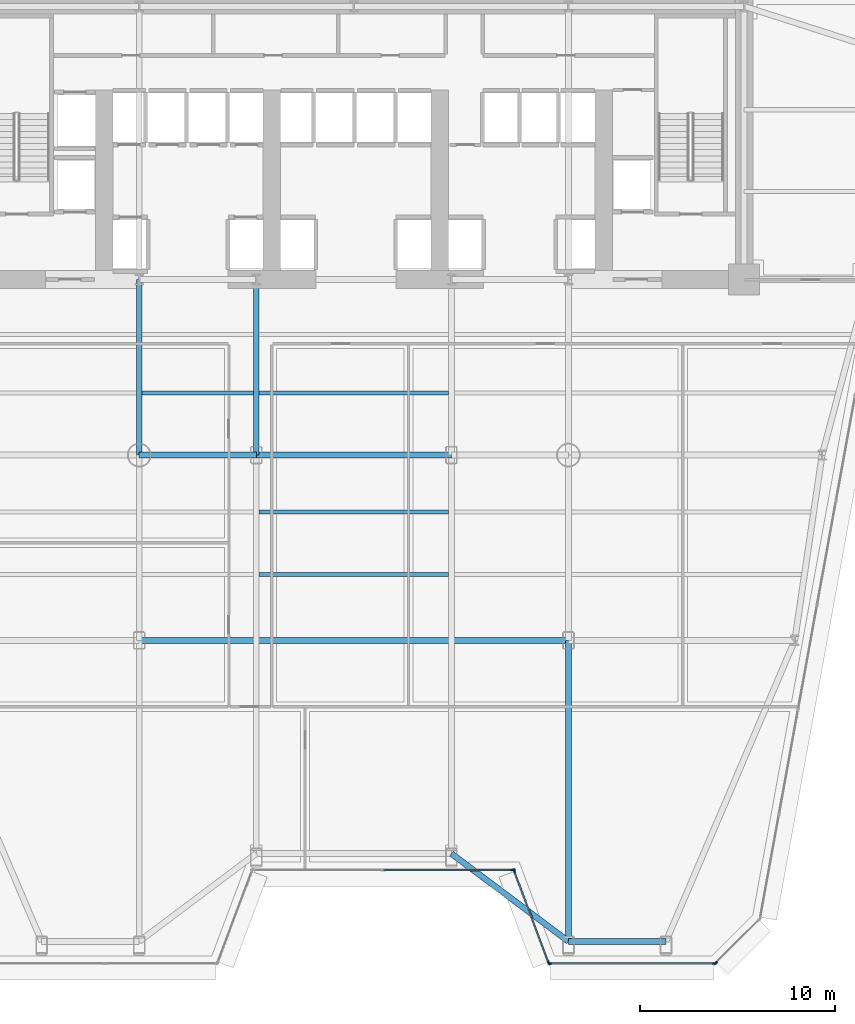
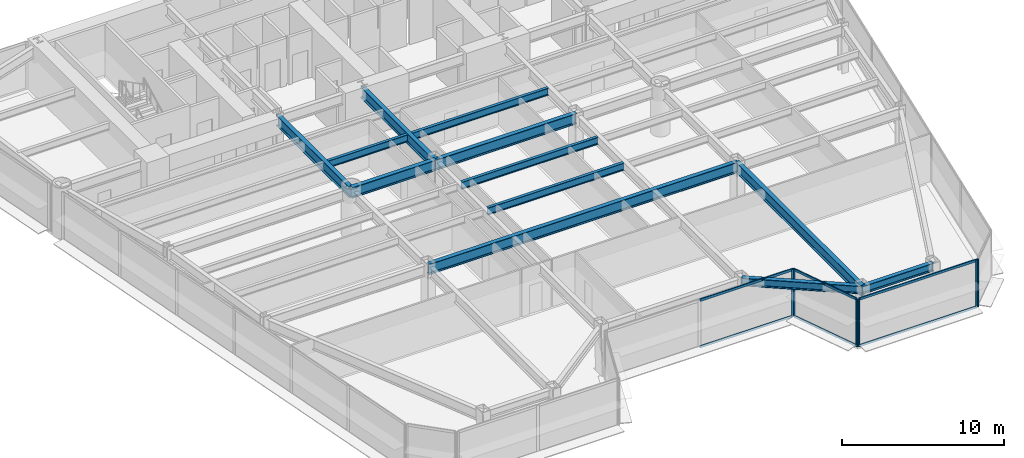
# One storey, part 3 of 14: 12 beams, 12 members, 4 elements without a shape of their own.
"""IFC4 building model written with IfcOpenShell, lengths in metres."""

from ifc_helpers import new_model, si_unit, direction, frame, origin, origin_2d, place, context, subcontext, project, spatial, rectangle, i_section, extrude, source, transform, mapped, material, layer, layer_set, material_profile, profile_set, type_object, element, aggregate, save


model = new_model("IFC4")

# Units and contexts
model_context = context("Model", 3, precision=1e-05, world=origin(), true_north=direction((0.0, 1.0)))
body_context = subcontext(model_context, "Body", "Model", "MODEL_VIEW")
ifc_project = project(units=[si_unit("LENGTHUNIT", "METRE"), si_unit("AREAUNIT", "SQUARE_METRE"), si_unit("VOLUMEUNIT", "CUBIC_METRE"), si_unit("PLANEANGLEUNIT", "RADIAN"), si_unit("MASSUNIT", "GRAM", prefix="KILO")], contexts=[model_context])

# Site, building, storey
site_placement = place(None, origin())
site = spatial("IfcSite", under=ifc_project, at=site_placement, CompositionType="ELEMENT")
building_placement = place(site_placement, origin())
building = spatial("IfcBuilding", under=site, at=building_placement, Name="Vaeldorn Concourse Tower", CompositionType="ELEMENT")
storey_placement = place(building_placement, frame((0.0, 0.0, 41.60009765625)))
storey = spatial("IfcBuildingStorey", under=building, at=storey_placement, Name="L10", CompositionType="ELEMENT", Elevation=41.60009765625)

# Beams
ifc_material_1 = material(Name="Steel S355", Category="steel")
ifc_material_profile_1 = material_profile(ifc_material_1, i_section(OverallWidth=0.300048828125, OverallDepth=0.800048828125, WebThickness=0.017578125, FlangeThickness=0.032958984375, FilletRadius=0.030029296875, at=origin_2d()), Name="HEB 800")
ifc_profile_set_1 = profile_set([ifc_material_profile_1], Name="Steel S355")
beam_type_1 = type_object("IfcBeamType", Name="BM-PG-HEB800", PredefinedType="BEAM", material=ifc_profile_set_1)
shared_shape_1 = source(origin(), body_context, "Body", "SweptSolid", [
    extrude(i_section(OverallWidth=0.300048828125, OverallDepth=0.800048828125, WebThickness=0.017578125, FlangeThickness=0.032958984375, FilletRadius=0.030029296875, at=origin_2d()), origin(), (0.0, 0.0, 1.0), 6.0),
])
beam_1_placement = place(storey_placement, frame((23.0, 27.5, 3.179931640625), z_axis=(1.0, 0.0, 0.0), x_axis=(0.0, 1.0, 0.0)))
element("IfcBeam", 1, at=beam_1_placement, inside=storey, type_object=beam_type_1, Name="Beam BM-L10-C-TW1-C-TW2", PredefinedType="BEAM", context=body_context, shape_type="MappedRepresentation", body=[
    mapped(shared_shape_1, transform((0.0, 0.0, 0.0), scale=1.0)),
])
shared_shape_2 = source(origin(), body_context, "Body", "SweptSolid", [
    extrude(i_section(OverallWidth=0.300048828125, OverallDepth=0.800048828125, WebThickness=0.017578125, FlangeThickness=0.032958984375, FilletRadius=0.030029296875, at=origin_2d()), origin(), (0.0, 0.0, 1.0), 10.0),
])
beam_2_placement = place(storey_placement, frame((29.0, 27.5, 3.179931640625), z_axis=(1.0, 0.0, 0.0), x_axis=(0.0, 1.0, 0.0)))
element("IfcBeam", 2, at=beam_2_placement, inside=storey, type_object=beam_type_1, Name="Beam BM-L10-C-TW2-C-TW3", PredefinedType="BEAM", context=body_context, shape_type="MappedRepresentation", body=[
    mapped(shared_shape_2, transform((0.0, 0.0, 0.0), scale=1.0)),
])
shared_shape_3 = source(origin(), body_context, "Body", "SweptSolid", [
    extrude(i_section(OverallWidth=0.300048828125, OverallDepth=0.800048828125, WebThickness=0.017578125, FlangeThickness=0.032958984375, FilletRadius=0.030029296875, at=origin_2d()), origin(), (0.0, 0.0, 1.0), 9.0),
])
for number, where, z_axis, x_axis, name in (
    (3, (23.0, 27.5, 3.179931640625), (0.0, 1.0, 0.0), (-1.0, 0.0, 0.0), "Beam BM-L10-C-TW1-C-FC2"),
    (4, (29.0, 27.5, 3.179931640625), (0.0, 1.0, 0.0), (-1.0, 0.0, 0.0), "Beam BM-L10-C-TW2-C-FC3"),
):
    element("IfcBeam", number, at=place(storey_placement, frame(where, z_axis=z_axis, x_axis=x_axis)), inside=storey, type_object=beam_type_1, Name=name, PredefinedType="BEAM", context=body_context, shape_type="MappedRepresentation", body=[
        mapped(shared_shape_3, transform((0.0, 0.0, 0.0), scale=1.0)),
    ])
ifc_material_profile_2 = material_profile(ifc_material_1, i_section(OverallWidth=0.300048828125, OverallDepth=0.60009765625, WebThickness=0.015380859375, FlangeThickness=0.030029296875, FilletRadius=0.027099609375, at=origin_2d()), Name="HEB 600")
ifc_profile_set_2 = profile_set([ifc_material_profile_2], Name="Steel S355")
beam_type_2 = type_object("IfcBeamType", Name="BM-SP-HEB600", PredefinedType="SPANDREL", material=ifc_profile_set_2)
shared_shape_4 = source(origin(), body_context, "Body", "SweptSolid", [
    extrude(i_section(OverallWidth=0.300048828125, OverallDepth=0.60009765625, WebThickness=0.015380859375, FlangeThickness=0.030029296875, FilletRadius=0.027099609375, at=origin_2d()), origin(), (0.0, 0.0, 1.0), 5.0),
])
beam_3_placement = place(storey_placement, frame((45.0, 2.573486328125, 3.27978515625), z_axis=(1.0, 0.0, 0.0), x_axis=(0.0, 1.0, 0.0)))
element("IfcBeam", 5, at=beam_3_placement, inside=storey, type_object=beam_type_2, Name="Beam BM-L10-C-SF5-C-SF6", PredefinedType="SPANDREL", context=body_context, shape_type="MappedRepresentation", body=[
    mapped(shared_shape_4, transform((0.0, 0.0, 0.0), scale=1.0)),
])
shared_shape_5 = source(origin(), body_context, "Body", "SweptSolid", [
    extrude(i_section(OverallWidth=0.300048828125, OverallDepth=0.60009765625, WebThickness=0.015380859375, FlangeThickness=0.030029296875, FilletRadius=0.027099609375, at=origin_2d()), origin(), (0.0, 0.0, 1.0), 7.5),
])
beam_4_placement = place(storey_placement, frame((39.0, 7.073486328125, 3.27978515625), z_axis=(0.8, -0.6, 0.0), x_axis=(0.6, 0.8, 0.0)))
element("IfcBeam", 6, at=beam_4_placement, inside=storey, type_object=beam_type_2, Name="Beam BM-L10-C-SF4-C-SF5", PredefinedType="SPANDREL", context=body_context, shape_type="MappedRepresentation", body=[
    mapped(shared_shape_5, transform((0.0, 0.0, 0.0), scale=1.0)),
])
shared_shape_6 = source(origin(), body_context, "Body", "SweptSolid", [
    extrude(i_section(OverallWidth=0.300048828125, OverallDepth=0.800048828125, WebThickness=0.017578125, FlangeThickness=0.032958984375, FilletRadius=0.030029296875, at=origin_2d()), origin(), (0.0, 0.0, 1.0), 22.0),
])
beam_5_placement = place(storey_placement, frame((23.0, 18.0, 3.179931640625), z_axis=(1.0, 0.0, 0.0), x_axis=(0.0, 1.0, 0.0)))
element("IfcBeam", 7, at=beam_5_placement, inside=storey, type_object=beam_type_1, Name="Beam BM-L10-C-TW5-C-TW6", PredefinedType="BEAM", context=body_context, shape_type="MappedRepresentation", body=[
    mapped(shared_shape_6, transform((0.0, 0.0, 0.0), scale=1.0)),
])
ifc_material_profile_3 = material_profile(ifc_material_1, i_section(OverallWidth=0.2099609375, OverallDepth=0.550048828125, WebThickness=0.010986328125, FlangeThickness=0.01708984375, FilletRadius=0.02392578125, at=origin_2d()), Name="IPE 550")
ifc_profile_set_3 = profile_set([ifc_material_profile_3], Name="Steel S355")
beam_type_3 = type_object("IfcBeamType", Name="BM-JS-IPE550", PredefinedType="JOIST", material=ifc_profile_set_3)
shared_shape_7 = source(origin(), body_context, "Body", "SweptSolid", [
    extrude(i_section(OverallWidth=0.2099609375, OverallDepth=0.550048828125, WebThickness=0.010986328125, FlangeThickness=0.01708984375, FilletRadius=0.02392578125, at=origin_2d()), origin(), (0.0, 0.0, 1.0), 5.7001953125),
])
beam_6_placement = place(storey_placement, frame((23.14990234375, 30.679931640625, 3.304931640625), z_axis=(1.0, 0.0, 0.0), x_axis=(0.0, 1.0, 0.0)))
element("IfcBeam", 8, at=beam_6_placement, inside=storey, type_object=beam_type_3, Name="Beam JS-L10-W2-306", PredefinedType="JOIST", context=body_context, shape_type="MappedRepresentation", body=[
    mapped(shared_shape_7, transform((0.0, 0.0, 0.0), scale=1.0)),
])
shared_shape_8 = source(origin(), body_context, "Body", "SweptSolid", [
    extrude(i_section(OverallWidth=0.2099609375, OverallDepth=0.550048828125, WebThickness=0.010986328125, FlangeThickness=0.01708984375, FilletRadius=0.02392578125, at=origin_2d()), origin(), (0.0, 0.0, 1.0), 9.7001953125),
])
for number, where, z_axis, x_axis, name in (
    (9, (29.14990234375, 21.3798828125, 3.304931640625), (1.0, 0.0, 0.0), (0.0, 1.0, 0.0), "Beam JS-L10-C-213"),
    (10, (29.14990234375, 24.580078125, 3.304931640625), (1.0, 0.0, 0.0), (0.0, 1.0, 0.0), "Beam JS-L10-C-245"),
    (11, (29.14990234375, 30.679931640625, 3.304931640625), (1.0, 0.0, 0.0), (0.0, 1.0, 0.0), "Beam JS-L10-C-306"),
):
    element("IfcBeam", number, at=place(storey_placement, frame(where, z_axis=z_axis, x_axis=x_axis)), inside=storey, type_object=beam_type_3, Name=name, PredefinedType="JOIST", context=body_context, shape_type="MappedRepresentation", body=[
        mapped(shared_shape_8, transform((0.0, 0.0, 0.0), scale=1.0)),
    ])
shared_shape_9 = source(origin(), body_context, "Body", "SweptSolid", [
    extrude(i_section(OverallWidth=0.300048828125, OverallDepth=0.800048828125, WebThickness=0.017578125, FlangeThickness=0.032958984375, FilletRadius=0.030029296875, at=origin_2d()), origin(), (0.0, 0.0, 1.0), 15.426513671875),
])
beam_7_placement = place(storey_placement, frame((45.0, 2.573486328125, 3.179931640625), z_axis=(0.0, 1.0, 0.0), x_axis=(-1.0, 0.0, 0.0)))
element("IfcBeam", 12, at=beam_7_placement, inside=storey, type_object=beam_type_1, Name="Beam BM-L10-C-SF5-C-TW6", PredefinedType="BEAM", context=body_context, shape_type="MappedRepresentation", body=[
    mapped(shared_shape_9, transform((0.0, 0.0, 0.0), scale=1.0)),
])

# Curtain wall, member
ifc_material_2 = material(Name="Anodised Bronze Aluminium", Category="aluminium")
ifc_layer = layer(ifc_material_2, 0.219970703125)
ifc_layer_set = layer_set([ifc_layer], Name="Anodised Bronze Aluminium")
curtain_wall_type = type_object("IfcCurtainWallType", Name="CW-SYS-01", PredefinedType="NOTDEFINED", material=ifc_layer_set)
curtain_wall_1_placement = place(storey_placement, origin())
curtain_wall_1 = element("IfcCurtainWall", 13, at=curtain_wall_1_placement, inside=storey, type_object=curtain_wall_type, Name="Unitised Curtain Wall CW-L10-E03-1", PredefinedType="NOTDEFINED")
ifc_material_profile_4 = material_profile(ifc_material_2, rectangle(XDim=0.074951171875, YDim=0.219970703125, at=origin_2d()), Name="CWM 75x220")
ifc_profile_set_4 = profile_set([ifc_material_profile_4], Name="Anodised Bronze Aluminium")
member_type_1 = type_object("IfcMemberType", Name="CWM-BRONZE-220", PredefinedType="MULLION", material=ifc_profile_set_4)
shared_shape_10 = source(origin(), body_context, "Body", "SweptSolid", [
    extrude(rectangle(XDim=0.074951171875, YDim=0.219970703125, at=origin_2d()), origin(), (0.0, 0.0, 1.0), 3.579833984375),
])
member_1_placement = place(storey_placement, frame((42.16259765625, 6.234619140625, 0.0), z_axis=(0.0, 0.0, 1.0), x_axis=(0.0, 1.0, 0.0)))
member_1 = element("IfcMember", 14, at=member_1_placement, type_object=member_type_1, Name="CW-01 mullion 3", PredefinedType="MULLION", context=body_context, shape_type="MappedRepresentation", body=[
    mapped(shared_shape_10, transform((0.0, 0.0, 0.0), scale=1.0)),
])

# Curtain wall, members
curtain_wall_2_placement = place(storey_placement, origin())
curtain_wall_2 = element("IfcCurtainWall", 15, at=curtain_wall_2_placement, inside=storey, type_object=curtain_wall_type, Name="Unitised Curtain Wall CW-L10-E04-1", PredefinedType="NOTDEFINED")
member_2_placement = place(storey_placement, frame((42.213134765625, 6.199462890625, 0.0), z_axis=(0.0, 0.0, 1.0), x_axis=(0.936329177566, 0.351123441595, 0.0)))
member_2 = element("IfcMember", 16, at=member_2_placement, type_object=member_type_1, Name="CW-01 mullion 1", PredefinedType="MULLION", context=body_context, shape_type="MappedRepresentation", body=[
    mapped(shared_shape_10, transform((0.0, 0.0, 0.0), scale=1.0)),
])
member_3_placement = place(storey_placement, frame((43.98681640625, 1.4697265625, 0.0), z_axis=(0.0, 0.0, 1.0), x_axis=(0.936329177566, 0.351123441595, 0.0)))
member_3 = element("IfcMember", 17, at=member_3_placement, type_object=member_type_1, Name="CW-01 mullion 2", PredefinedType="MULLION", context=body_context, shape_type="MappedRepresentation", body=[
    mapped(shared_shape_10, transform((0.0, 0.0, 0.0), scale=1.0)),
])

curtain_wall_3_placement = place(storey_placement, origin())
curtain_wall_3 = element("IfcCurtainWall", 18, at=curtain_wall_3_placement, inside=storey, type_object=curtain_wall_type, Name="Unitised Curtain Wall CW-L10-E05-1", PredefinedType="NOTDEFINED")
member_4_placement = place(storey_placement, frame((44.03759765625, 1.4345703125, 0.0), z_axis=(0.0, 0.0, 1.0), x_axis=(0.0, 1.0, 0.0)))
member_4 = element("IfcMember", 19, at=member_4_placement, type_object=member_type_1, Name="CW-01 mullion 1", PredefinedType="MULLION", context=body_context, shape_type="MappedRepresentation", body=[
    mapped(shared_shape_10, transform((0.0, 0.0, 0.0), scale=1.0)),
])
member_5_placement = place(storey_placement, frame((52.484130859375, 1.4345703125, 0.0), z_axis=(0.0, 0.0, 1.0), x_axis=(0.0, 1.0, 0.0)))
member_5 = element("IfcMember", 20, at=member_5_placement, type_object=member_type_1, Name="CW-01 mullion 2", PredefinedType="MULLION", context=body_context, shape_type="MappedRepresentation", body=[
    mapped(shared_shape_10, transform((0.0, 0.0, 0.0), scale=1.0)),
])

# Curtain wall, member
curtain_wall_4_placement = place(storey_placement, origin())
curtain_wall_4 = element("IfcCurtainWall", 21, at=curtain_wall_4_placement, inside=storey, type_object=curtain_wall_type, Name="Unitised Curtain Wall CW-L10-E06-1", PredefinedType="NOTDEFINED")
member_6_placement = place(storey_placement, frame((52.548095703125, 1.4609375, 0.0), z_axis=(0.0, 0.0, 1.0), x_axis=(-0.707106781187, 0.707106781187, 0.0)))
member_6 = element("IfcMember", 22, at=member_6_placement, type_object=member_type_1, Name="CW-01 mullion 1", PredefinedType="MULLION", context=body_context, shape_type="MappedRepresentation", body=[
    mapped(shared_shape_10, transform((0.0, 0.0, 0.0), scale=1.0)),
])
aggregate(curtain_wall_4, [member_6])

# Member
ifc_material_profile_5 = material_profile(ifc_material_2, rectangle(XDim=0.074951171875, YDim=0.179931640625, at=origin_2d()), Name="CWT 75x180")
ifc_profile_set_5 = profile_set([ifc_material_profile_5], Name="Anodised Bronze Aluminium")
member_type_2 = type_object("IfcMemberType", Name="CWT-BRONZE-180", PredefinedType="USERDEFINED", material=ifc_profile_set_5)
shared_shape_11 = source(origin(), body_context, "Body", "SweptSolid", [
    extrude(rectangle(XDim=0.074951171875, YDim=0.179931640625, at=origin_2d()), origin(), (0.0, 0.0, 1.0), 6.58740234375),
])
member_7_placement = place(storey_placement, frame((35.53759765625, 6.234619140625, 0.037353515625), z_axis=(1.0, 0.0, 0.0), x_axis=(0.0, 1.0, 0.0)))
member_7 = element("IfcMember", 23, at=member_7_placement, type_object=member_type_2, Name="CW-01 transom 2.1", ObjectType="TRANSOM", PredefinedType="USERDEFINED", context=body_context, shape_type="MappedRepresentation", body=[
    mapped(shared_shape_11, transform((0.0, 0.0, 0.0), scale=1.0)),
])

member_8_placement = place(storey_placement, frame((35.53759765625, 6.234619140625, 3.54248046875), z_axis=(1.0, 0.0, 0.0), x_axis=(0.0, 1.0, 0.0)))
member_8 = element("IfcMember", 24, at=member_8_placement, type_object=member_type_2, Name="CW-01 transom 2.2", ObjectType="TRANSOM", PredefinedType="USERDEFINED", context=body_context, shape_type="MappedRepresentation", body=[
    mapped(shared_shape_11, transform((0.0, 0.0, 0.0), scale=1.0)),
])

aggregate(curtain_wall_1, [member_1, member_7, member_8])

shared_shape_12 = source(origin(), body_context, "Body", "SweptSolid", [
    extrude(rectangle(XDim=0.074951171875, YDim=0.179931640625, at=origin_2d()), origin(), (0.0, 0.0, 1.0), 4.9765625),
])
member_9_placement = place(storey_placement, frame((42.226318359375, 6.164306640625, 0.037353515625), z_axis=(0.351112688987, -0.936333209724, 0.0), x_axis=(0.936333209724, 0.351112688987, 0.0)))
member_9 = element("IfcMember", 25, at=member_9_placement, type_object=member_type_2, Name="CW-01 transom 1.1", ObjectType="TRANSOM", PredefinedType="USERDEFINED", context=body_context, shape_type="MappedRepresentation", body=[
    mapped(shared_shape_12, transform((0.0, 0.0, 0.0), scale=1.0)),
])

member_10_placement = place(storey_placement, frame((42.226318359375, 6.164306640625, 3.54248046875), z_axis=(0.351112688987, -0.936333209724, 0.0), x_axis=(0.936333209724, 0.351112688987, 0.0)))
member_10 = element("IfcMember", 26, at=member_10_placement, type_object=member_type_2, Name="CW-01 transom 1.2", ObjectType="TRANSOM", PredefinedType="USERDEFINED", context=body_context, shape_type="MappedRepresentation", body=[
    mapped(shared_shape_12, transform((0.0, 0.0, 0.0), scale=1.0)),
])

aggregate(curtain_wall_2, [member_2, member_3, member_9, member_10])

shared_shape_13 = source(origin(), body_context, "Body", "SweptSolid", [
    extrude(rectangle(XDim=0.074951171875, YDim=0.179931640625, at=origin_2d()), origin(), (0.0, 0.0, 1.0), 8.371826171875),
])
member_11_placement = place(storey_placement, frame((44.074951171875, 1.4345703125, 0.037353515625), z_axis=(1.0, 0.0, 0.0), x_axis=(0.0, 1.0, 0.0)))
member_11 = element("IfcMember", 27, at=member_11_placement, type_object=member_type_2, Name="CW-01 transom 1.1", ObjectType="TRANSOM", PredefinedType="USERDEFINED", context=body_context, shape_type="MappedRepresentation", body=[
    mapped(shared_shape_13, transform((0.0, 0.0, 0.0), scale=1.0)),
])

member_12_placement = place(storey_placement, frame((44.074951171875, 1.4345703125, 3.54248046875), z_axis=(1.0, 0.0, 0.0), x_axis=(0.0, 1.0, 0.0)))
member_12 = element("IfcMember", 28, at=member_12_placement, type_object=member_type_2, Name="CW-01 transom 1.2", ObjectType="TRANSOM", PredefinedType="USERDEFINED", context=body_context, shape_type="MappedRepresentation", body=[
    mapped(shared_shape_13, transform((0.0, 0.0, 0.0), scale=1.0)),
])

aggregate(curtain_wall_3, [member_4, member_5, member_11, member_12])

save(model, "model.ifc")
